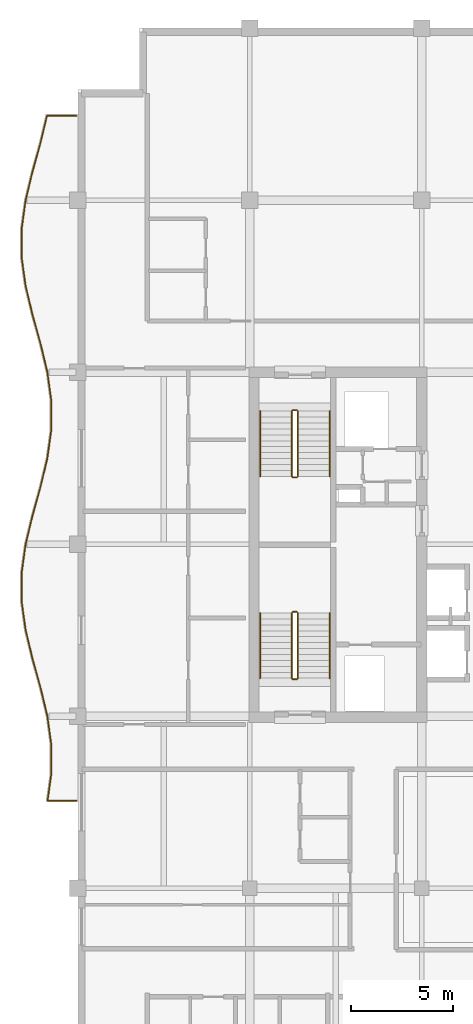
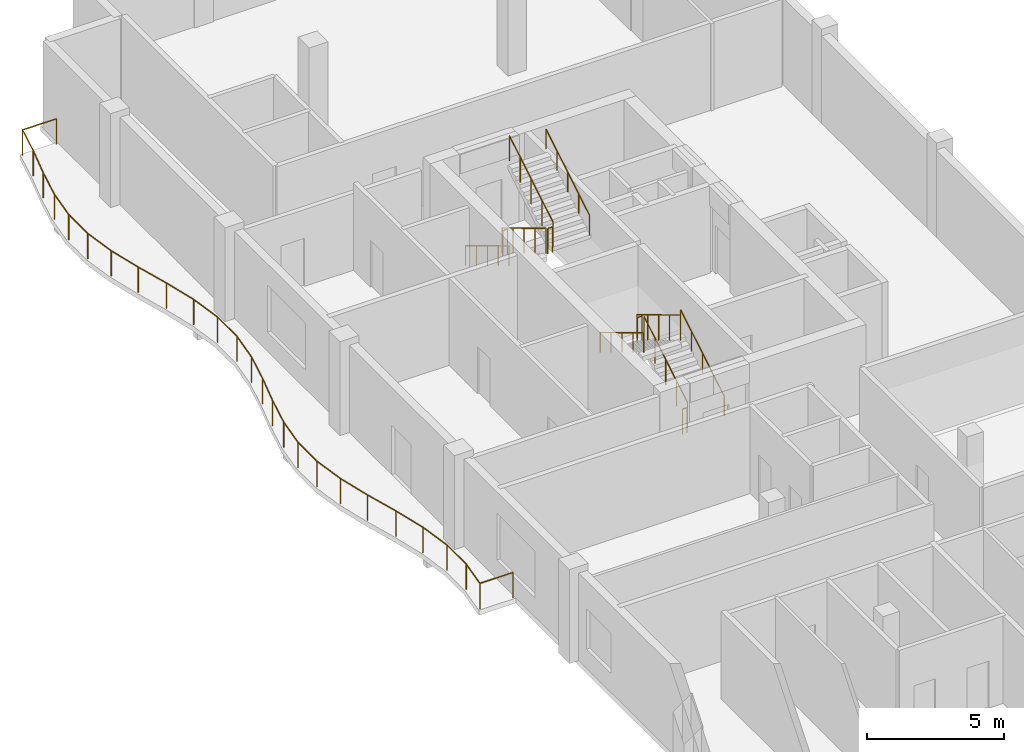
# One storey, part 11 of 11: 13 railings.
"""IFC4 building model written with IfcOpenShell, lengths in metres."""

from ifc_helpers import new_model, si_unit, direction, frame, origin, origin_2d, place, context, subcontext, project, spatial, circle, extrude, material, type_object, element, save


model = new_model("IFC4")

# Units and contexts
model_context = context("Model", 3, precision=1e-05, world=origin(), true_north=direction((0.0, 1.0)))
body_context = subcontext(model_context, "Body", "Model", "MODEL_VIEW")
ifc_project = project(units=[si_unit("LENGTHUNIT", "METRE"), si_unit("AREAUNIT", "SQUARE_METRE"), si_unit("VOLUMEUNIT", "CUBIC_METRE"), si_unit("PLANEANGLEUNIT", "RADIAN"), si_unit("MASSUNIT", "GRAM", prefix="KILO")], contexts=[model_context])

# Site, building, storey
site_placement = place(None, origin())
site = spatial("IfcSite", under=ifc_project, at=site_placement, CompositionType="ELEMENT")
building_placement = place(site_placement, origin())
building = spatial("IfcBuilding", under=site, at=building_placement, Name="Koriwani Terraces Tower", CompositionType="ELEMENT")
storey_placement = place(building_placement, frame((0.0, 0.0, 359.60009765625)))
storey = spatial("IfcBuildingStorey", under=building, at=storey_placement, Name="L89", CompositionType="ELEMENT", Elevation=359.60009765625)

# Railings
ifc_material = material(Name="Steel ASTM A572 Grade 50", Category="steel")
railing_type_1 = type_object("IfcRailingType", Name="GUARD_BALUSTRADE_1150", PredefinedType="BALUSTRADE", material=ifc_material)
railing_1_placement = place(storey_placement, frame((8.320068359375, 37.8798828125, 0.0)))
element("IfcRailing", 1, at=railing_1_placement, inside=storey, type_object=railing_type_1, Name="L89 Balcony Perimeter Safety Balustrade (W)", PredefinedType="BALUSTRADE", context=body_context, shape_type="SweptSolid", body=[
    extrude(circle(Radius=0.02392578125, at=origin_2d()), frame((0.0, 0.0, 1.1259765625), z_axis=(-1.0, 0.0, 0.0), x_axis=(0.0, -1.0, 0.0)), (0.0, 0.0, 1.0), 1.39794921875),
    extrude(circle(Radius=0.02392578125, at=origin_2d()), frame((-1.39794921875, 0.0, 1.1259765625), z_axis=(0.137041987632, 0.99056523946, 0.0), x_axis=(-0.99056523946, 0.137041987632, 0.0)), (0.0, 0.0, 1.0), 1.3271484375),
    extrude(circle(Radius=0.02392578125, at=origin_2d()), frame((-1.216064453125, 1.314697265625, 1.1259765625), z_axis=(0.0, 1.0, 0.0), x_axis=(-1.0, 0.0, 0.0)), (0.0, 0.0, 1.0), 1.410888671875),
    extrude(circle(Radius=0.02392578125, at=origin_2d()), frame((-1.216064453125, 2.7255859375, 1.1259765625), z_axis=(-0.137264429555, 0.990534439774, 0.0), x_axis=(-0.990534439774, -0.137264429555, 0.0)), (0.0, 0.0, 1.0), 1.4228515625),
    extrude(circle(Radius=0.02392578125, at=origin_2d()), frame((-1.411376953125, 4.135009765625, 1.1259765625), z_axis=(-0.233340999769, 0.972394970075, 0.0), x_axis=(-0.972394970075, -0.233340999769, 0.0)), (0.0, 0.0, 1.0), 1.44482421875),
    extrude(circle(Radius=0.02392578125, at=origin_2d()), frame((-1.74853515625, 5.5400390625, 1.1259765625), z_axis=(-0.26716718525, 0.963650193341, 0.0), x_axis=(-0.963650193341, -0.26716718525, 0.0)), (0.0, 0.0, 1.0), 1.452880859375),
    extrude(circle(Radius=0.02392578125, at=origin_2d()), frame((-2.13671875, 6.940185546875, 1.1259765625), z_axis=(-0.233514568862, 0.972353303141, 0.0), x_axis=(-0.972353303141, -0.233514568862, 0.0)), (0.0, 0.0, 1.0), 1.434326171875),
    extrude(circle(Radius=0.02392578125, at=origin_2d()), frame((-2.4716796875, 8.3349609375, 1.1259765625), z_axis=(-0.137378806302, 0.990518583157, 0.0), x_axis=(-0.990518583157, -0.137378806302, 0.0)), (0.0, 0.0, 1.0), 1.404052734375),
    extrude(circle(Radius=0.02392578125, at=origin_2d()), frame((-2.66455078125, 9.7255859375, 1.1259765625), z_axis=(0.0, 1.0, 0.0), x_axis=(-1.0, 0.0, 0.0)), (0.0, 0.0, 1.0), 1.388916015625),
    extrude(circle(Radius=0.02392578125, at=origin_2d()), frame((-2.66455078125, 11.114501953125, 1.1259765625), z_axis=(0.137378806302, 0.990518583157, 0.0), x_axis=(-0.990518583157, 0.137378806302, 0.0)), (0.0, 0.0, 1.0), 1.404052734375),
    extrude(circle(Radius=0.02392578125, at=origin_2d()), frame((-2.4716796875, 12.505126953125, 1.1259765625), z_axis=(0.23347592966, 0.972362581689, 0.0), x_axis=(-0.972362581689, 0.23347592966, 0.0)), (0.0, 0.0, 1.0), 1.4345703125),
    extrude(circle(Radius=0.02392578125, at=origin_2d()), frame((-2.13671875, 13.900146484375, 1.1259765625), z_axis=(0.267210452187, 0.963638196753, 0.0), x_axis=(-0.963638196753, 0.267210452187, 0.0)), (0.0, 0.0, 1.0), 1.45263671875),
    extrude(circle(Radius=0.02392578125, at=origin_2d()), frame((-1.74853515625, 15.300048828125, 1.1259765625), z_axis=(0.233302667738, 0.972404167631, 0.0), x_axis=(-0.972404167631, 0.233302667738, 0.0)), (0.0, 0.0, 1.0), 1.445068359375),
    extrude(circle(Radius=0.02392578125, at=origin_2d()), frame((-1.411376953125, 16.705322265625, 1.1259765625), z_axis=(0.137287762455, 0.990531206111, 0.0), x_axis=(-0.990531206111, 0.137287762455, 0.0)), (0.0, 0.0, 1.0), 1.422607421875),
    extrude(circle(Radius=0.02392578125, at=origin_2d()), frame((-1.216064453125, 18.114501953125, 1.1259765625), z_axis=(0.0, 1.0, 0.0), x_axis=(-1.0, 0.0, 0.0)), (0.0, 0.0, 1.0), 1.4111328125),
    extrude(circle(Radius=0.02392578125, at=origin_2d()), frame((-1.216064453125, 19.525634765625, 1.1259765625), z_axis=(-0.137287762455, 0.990531206111, 0.0), x_axis=(-0.990531206111, -0.137287762455, 0.0)), (0.0, 0.0, 1.0), 1.422607421875),
    extrude(circle(Radius=0.02392578125, at=origin_2d()), frame((-1.411376953125, 20.934814453125, 1.1259765625), z_axis=(-0.233302667738, 0.972404167631, 0.0), x_axis=(-0.972404167631, -0.233302667738, 0.0)), (0.0, 0.0, 1.0), 1.445068359375),
    extrude(circle(Radius=0.02392578125, at=origin_2d()), frame((-1.74853515625, 22.340087890625, 1.1259765625), z_axis=(-0.26716718525, 0.963650193341, 0.0), x_axis=(-0.963650193341, -0.26716718525, 0.0)), (0.0, 0.0, 1.0), 1.452880859375),
    extrude(circle(Radius=0.02392578125, at=origin_2d()), frame((-2.13671875, 23.740234375, 1.1259765625), z_axis=(-0.233514568862, 0.972353303141, 0.0), x_axis=(-0.972353303141, -0.233514568862, 0.0)), (0.0, 0.0, 1.0), 1.434326171875),
    extrude(circle(Radius=0.02392578125, at=origin_2d()), frame((-2.4716796875, 25.135009765625, 1.1259765625), z_axis=(-0.137378806302, 0.990518583157, 0.0), x_axis=(-0.990518583157, -0.137378806302, 0.0)), (0.0, 0.0, 1.0), 1.404052734375),
    extrude(circle(Radius=0.02392578125, at=origin_2d()), frame((-2.66455078125, 26.525634765625, 1.1259765625), z_axis=(0.0, 1.0, 0.0), x_axis=(-1.0, 0.0, 0.0)), (0.0, 0.0, 1.0), 1.388916015625),
    extrude(circle(Radius=0.02392578125, at=origin_2d()), frame((-2.66455078125, 27.91455078125, 1.1259765625), z_axis=(0.137378806302, 0.990518583157, 0.0), x_axis=(-0.990518583157, 0.137378806302, 0.0)), (0.0, 0.0, 1.0), 1.404052734375),
    extrude(circle(Radius=0.02392578125, at=origin_2d()), frame((-2.4716796875, 29.30517578125, 1.1259765625), z_axis=(0.23347592966, 0.972362581689, 0.0), x_axis=(-0.972362581689, 0.23347592966, 0.0)), (0.0, 0.0, 1.0), 1.4345703125),
    extrude(circle(Radius=0.02392578125, at=origin_2d()), frame((-2.13671875, 30.7001953125, 1.1259765625), z_axis=(0.267210452187, 0.963638196753, 0.0), x_axis=(-0.963638196753, 0.267210452187, 0.0)), (0.0, 0.0, 1.0), 1.45263671875),
    extrude(circle(Radius=0.02392578125, at=origin_2d()), frame((-1.74853515625, 32.10009765625, 1.1259765625), z_axis=(0.233480150638, 0.972361568172, 0.0), x_axis=(-0.972361568172, 0.233480150638, 0.0)), (0.0, 0.0, 1.0), 1.378173828125),
    extrude(circle(Radius=0.02392578125, at=origin_2d()), frame((-1.4267578125, 33.440185546875, 1.1259765625), z_axis=(1.0, 0.0, 0.0), x_axis=(0.0, 1.0, 0.0)), (0.0, 0.0, 1.0), 1.4267578125),
    extrude(circle(Radius=0.02099609375, at=origin_2d()), origin(), (0.0, 0.0, 1.0), 1.101806640625),
    extrude(circle(Radius=0.02099609375, at=origin_2d()), frame((-1.39794921875, 0.0, 0.0)), (0.0, 0.0, 1.0), 1.101806640625),
    extrude(circle(Radius=0.02099609375, at=origin_2d()), frame((-1.216064453125, 1.314697265625, 0.0)), (0.0, 0.0, 1.0), 1.101806640625),
    extrude(circle(Radius=0.02099609375, at=origin_2d()), frame((-1.216064453125, 2.7255859375, 0.0)), (0.0, 0.0, 1.0), 1.101806640625),
    extrude(circle(Radius=0.02099609375, at=origin_2d()), frame((-1.411376953125, 4.135009765625, 0.0)), (0.0, 0.0, 1.0), 1.101806640625),
    extrude(circle(Radius=0.02099609375, at=origin_2d()), frame((-1.74853515625, 5.5400390625, 0.0)), (0.0, 0.0, 1.0), 1.101806640625),
    extrude(circle(Radius=0.02099609375, at=origin_2d()), frame((-2.13671875, 6.940185546875, 0.0)), (0.0, 0.0, 1.0), 1.101806640625),
    extrude(circle(Radius=0.02099609375, at=origin_2d()), frame((-2.4716796875, 8.3349609375, 0.0)), (0.0, 0.0, 1.0), 1.101806640625),
    extrude(circle(Radius=0.02099609375, at=origin_2d()), frame((-2.66455078125, 9.7255859375, 0.0)), (0.0, 0.0, 1.0), 1.101806640625),
    extrude(circle(Radius=0.02099609375, at=origin_2d()), frame((-2.66455078125, 11.114501953125, 0.0)), (0.0, 0.0, 1.0), 1.101806640625),
    extrude(circle(Radius=0.02099609375, at=origin_2d()), frame((-2.4716796875, 12.505126953125, 0.0)), (0.0, 0.0, 1.0), 1.101806640625),
    extrude(circle(Radius=0.02099609375, at=origin_2d()), frame((-2.13671875, 13.900146484375, 0.0)), (0.0, 0.0, 1.0), 1.101806640625),
    extrude(circle(Radius=0.02099609375, at=origin_2d()), frame((-1.74853515625, 15.300048828125, 0.0)), (0.0, 0.0, 1.0), 1.101806640625),
    extrude(circle(Radius=0.02099609375, at=origin_2d()), frame((-1.411376953125, 16.705322265625, 0.0)), (0.0, 0.0, 1.0), 1.101806640625),
    extrude(circle(Radius=0.02099609375, at=origin_2d()), frame((-1.216064453125, 18.114501953125, 0.0)), (0.0, 0.0, 1.0), 1.101806640625),
    extrude(circle(Radius=0.02099609375, at=origin_2d()), frame((-1.216064453125, 19.525634765625, 0.0)), (0.0, 0.0, 1.0), 1.101806640625),
    extrude(circle(Radius=0.02099609375, at=origin_2d()), frame((-1.411376953125, 20.934814453125, 0.0)), (0.0, 0.0, 1.0), 1.101806640625),
    extrude(circle(Radius=0.02099609375, at=origin_2d()), frame((-1.74853515625, 22.340087890625, 0.0)), (0.0, 0.0, 1.0), 1.101806640625),
    extrude(circle(Radius=0.02099609375, at=origin_2d()), frame((-2.13671875, 23.740234375, 0.0)), (0.0, 0.0, 1.0), 1.101806640625),
    extrude(circle(Radius=0.02099609375, at=origin_2d()), frame((-2.4716796875, 25.135009765625, 0.0)), (0.0, 0.0, 1.0), 1.101806640625),
    extrude(circle(Radius=0.02099609375, at=origin_2d()), frame((-2.66455078125, 26.525634765625, 0.0)), (0.0, 0.0, 1.0), 1.101806640625),
    extrude(circle(Radius=0.02099609375, at=origin_2d()), frame((-2.66455078125, 27.91455078125, 0.0)), (0.0, 0.0, 1.0), 1.101806640625),
    extrude(circle(Radius=0.02099609375, at=origin_2d()), frame((-2.4716796875, 29.30517578125, 0.0)), (0.0, 0.0, 1.0), 1.101806640625),
    extrude(circle(Radius=0.02099609375, at=origin_2d()), frame((-2.13671875, 30.7001953125, 0.0)), (0.0, 0.0, 1.0), 1.101806640625),
    extrude(circle(Radius=0.02099609375, at=origin_2d()), frame((-1.74853515625, 32.10009765625, 0.0)), (0.0, 0.0, 1.0), 1.101806640625),
    extrude(circle(Radius=0.02099609375, at=origin_2d()), frame((-1.4267578125, 33.440185546875, 0.0)), (0.0, 0.0, 1.0), 1.101806640625),
    extrude(circle(Radius=0.02099609375, at=origin_2d()), frame((0.0, 33.440185546875, 0.0)), (0.0, 0.0, 1.0), 1.101806640625),
])
railing_type_2 = type_object("IfcRailingType", Name="GUARD_STAIR_WELL_1120", PredefinedType="GUARDRAIL", material=ifc_material)
railing_2_placement = place(storey_placement, frame((19.14990234375, 43.85009765625, 0.1748046875)))
element("IfcRailing", 2, at=railing_2_placement, inside=storey, type_object=railing_type_2, Name="L89 ST-W1 stair guard 1", PredefinedType="GUARDRAIL", context=body_context, shape_type="SweptSolid", body=[
    extrude(circle(Radius=0.02392578125, at=origin_2d()), frame((0.0, 0.0, 1.1259765625), z_axis=(0.0, 0.856177665481, 0.516681531633), x_axis=(-1.0, 0.0, 0.0)), (0.0, 0.0, 1.0), 3.725830078125),
    extrude(circle(Radius=0.02099609375, at=origin_2d()), origin(), (0.0, 0.0, 1.0), 1.101806640625),
    extrude(circle(Radius=0.02099609375, at=origin_2d()), frame((0.0, 0.79736328125, 0.481201171875)), (0.0, 0.0, 1.0), 1.101806640625),
    extrude(circle(Radius=0.02099609375, at=origin_2d()), frame((0.0, 1.594970703125, 0.96240234375)), (0.0, 0.0, 1.0), 1.101806640625),
    extrude(circle(Radius=0.02099609375, at=origin_2d()), frame((0.0, 2.392578125, 1.44384765625)), (0.0, 0.0, 1.0), 1.101806640625),
    extrude(circle(Radius=0.02099609375, at=origin_2d()), frame((0.0, 3.18994140625, 1.925048828125)), (0.0, 0.0, 1.0), 1.101806640625),
])
railing_3_placement = place(storey_placement, frame((19.10009765625, 47.090087890625, 2.099853515625)))
element("IfcRailing", 3, at=railing_3_placement, inside=storey, type_object=railing_type_2, Name="L89 ST-W1 stair guard 2", PredefinedType="GUARDRAIL", context=body_context, shape_type="SweptSolid", body=[
    extrude(circle(Radius=0.02392578125, at=origin_2d()), frame((0.0, 0.0, 1.1259765625), z_axis=(-1.0, 0.0, 0.0), x_axis=(0.0, -1.0, 0.0)), (0.0, 0.0, 1.0), 0.2001953125),
    extrude(circle(Radius=0.02099609375, at=origin_2d()), origin(), (0.0, 0.0, 1.0), 1.101806640625),
    extrude(circle(Radius=0.02099609375, at=origin_2d()), frame((-0.2001953125, 0.0, 0.0)), (0.0, 0.0, 1.0), 1.101806640625),
])
railing_4_placement = place(storey_placement, frame((18.85009765625, 47.0400390625, 2.27490234375)))
element("IfcRailing", 4, at=railing_4_placement, inside=storey, type_object=railing_type_2, Name="L89 ST-W1 stair guard 3", PredefinedType="GUARDRAIL", context=body_context, shape_type="SweptSolid", body=[
    extrude(circle(Radius=0.02392578125, at=origin_2d()), frame((0.0, 0.0, 1.1259765625), z_axis=(0.0, -0.856177665481, 0.516681531633), x_axis=(1.0, 0.0, 0.0)), (0.0, 0.0, 1.0), 3.725830078125),
    extrude(circle(Radius=0.02099609375, at=origin_2d()), origin(), (0.0, 0.0, 1.0), 1.101806640625),
    extrude(circle(Radius=0.02099609375, at=origin_2d()), frame((0.0, -0.79736328125, 0.481201171875)), (0.0, 0.0, 1.0), 1.101806640625),
    extrude(circle(Radius=0.02099609375, at=origin_2d()), frame((0.0, -1.594970703125, 0.96240234375)), (0.0, 0.0, 1.0), 1.101806640625),
    extrude(circle(Radius=0.02099609375, at=origin_2d()), frame((0.0, -2.392578125, 1.44384765625)), (0.0, 0.0, 1.0), 1.101806640625),
    extrude(circle(Radius=0.02099609375, at=origin_2d()), frame((0.0, -3.18994140625, 1.925048828125)), (0.0, 0.0, 1.0), 1.101806640625),
])
railing_5_placement = place(storey_placement, frame((19.10009765625, 43.800048828125, 0.0)))
element("IfcRailing", 5, at=railing_5_placement, inside=storey, type_object=railing_type_2, Name="L89 ST-W1 stair guard 4", PredefinedType="GUARDRAIL", context=body_context, shape_type="SweptSolid", body=[
    extrude(circle(Radius=0.02392578125, at=origin_2d()), frame((0.0, 0.0, 1.1259765625), z_axis=(-1.0, 0.0, 0.0), x_axis=(0.0, -1.0, 0.0)), (0.0, 0.0, 1.0), 0.2001953125),
    extrude(circle(Radius=0.02099609375, at=origin_2d()), origin(), (0.0, 0.0, 1.0), 1.101806640625),
    extrude(circle(Radius=0.02099609375, at=origin_2d()), frame((-0.2001953125, 0.0, 0.0)), (0.0, 0.0, 1.0), 1.101806640625),
])
railing_6_placement = place(storey_placement, frame((18.85009765625, 56.89990234375, 0.1748046875)))
element("IfcRailing", 6, at=railing_6_placement, inside=storey, type_object=railing_type_2, Name="L89 ST-W2 stair guard 1", PredefinedType="GUARDRAIL", context=body_context, shape_type="SweptSolid", body=[
    extrude(circle(Radius=0.02392578125, at=origin_2d()), frame((0.0, 0.0, 1.1259765625), z_axis=(0.0, -0.856177665481, 0.516681531633), x_axis=(1.0, 0.0, 0.0)), (0.0, 0.0, 1.0), 3.725830078125),
    extrude(circle(Radius=0.02099609375, at=origin_2d()), origin(), (0.0, 0.0, 1.0), 1.101806640625),
    extrude(circle(Radius=0.02099609375, at=origin_2d()), frame((0.0, -0.79736328125, 0.481201171875)), (0.0, 0.0, 1.0), 1.101806640625),
    extrude(circle(Radius=0.02099609375, at=origin_2d()), frame((0.0, -1.594970703125, 0.96240234375)), (0.0, 0.0, 1.0), 1.101806640625),
    extrude(circle(Radius=0.02099609375, at=origin_2d()), frame((0.0, -2.392578125, 1.44384765625)), (0.0, 0.0, 1.0), 1.101806640625),
    extrude(circle(Radius=0.02099609375, at=origin_2d()), frame((0.0, -3.18994140625, 1.925048828125)), (0.0, 0.0, 1.0), 1.101806640625),
])
railing_7_placement = place(storey_placement, frame((18.89990234375, 53.659912109375, 2.099853515625)))
element("IfcRailing", 7, at=railing_7_placement, inside=storey, type_object=railing_type_2, Name="L89 ST-W2 stair guard 2", PredefinedType="GUARDRAIL", context=body_context, shape_type="SweptSolid", body=[
    extrude(circle(Radius=0.02392578125, at=origin_2d()), frame((0.0, 0.0, 1.1259765625), z_axis=(1.0, 0.0, 0.0), x_axis=(0.0, 1.0, 0.0)), (0.0, 0.0, 1.0), 0.2001953125),
    extrude(circle(Radius=0.02099609375, at=origin_2d()), origin(), (0.0, 0.0, 1.0), 1.101806640625),
    extrude(circle(Radius=0.02099609375, at=origin_2d()), frame((0.2001953125, 0.0, 0.0)), (0.0, 0.0, 1.0), 1.101806640625),
])
railing_8_placement = place(storey_placement, frame((19.14990234375, 53.7099609375, 2.27490234375)))
element("IfcRailing", 8, at=railing_8_placement, inside=storey, type_object=railing_type_2, Name="L89 ST-W2 stair guard 3", PredefinedType="GUARDRAIL", context=body_context, shape_type="SweptSolid", body=[
    extrude(circle(Radius=0.02392578125, at=origin_2d()), frame((0.0, 0.0, 1.1259765625), z_axis=(0.0, 0.856177665481, 0.516681531633), x_axis=(-1.0, 0.0, 0.0)), (0.0, 0.0, 1.0), 3.725830078125),
    extrude(circle(Radius=0.02099609375, at=origin_2d()), origin(), (0.0, 0.0, 1.0), 1.101806640625),
    extrude(circle(Radius=0.02099609375, at=origin_2d()), frame((0.0, 0.79736328125, 0.481201171875)), (0.0, 0.0, 1.0), 1.101806640625),
    extrude(circle(Radius=0.02099609375, at=origin_2d()), frame((0.0, 1.594970703125, 0.96240234375)), (0.0, 0.0, 1.0), 1.101806640625),
    extrude(circle(Radius=0.02099609375, at=origin_2d()), frame((0.0, 2.392578125, 1.44384765625)), (0.0, 0.0, 1.0), 1.101806640625),
    extrude(circle(Radius=0.02099609375, at=origin_2d()), frame((0.0, 3.18994140625, 1.925048828125)), (0.0, 0.0, 1.0), 1.101806640625),
])
railing_9_placement = place(storey_placement, frame((18.89990234375, 56.949951171875, 0.0)))
element("IfcRailing", 9, at=railing_9_placement, inside=storey, type_object=railing_type_2, Name="L89 ST-W2 stair guard 4", PredefinedType="GUARDRAIL", context=body_context, shape_type="SweptSolid", body=[
    extrude(circle(Radius=0.02392578125, at=origin_2d()), frame((0.0, 0.0, 1.1259765625), z_axis=(1.0, 0.0, 0.0), x_axis=(0.0, 1.0, 0.0)), (0.0, 0.0, 1.0), 0.2001953125),
    extrude(circle(Radius=0.02099609375, at=origin_2d()), origin(), (0.0, 0.0, 1.0), 1.101806640625),
    extrude(circle(Radius=0.02099609375, at=origin_2d()), frame((0.2001953125, 0.0, 0.0)), (0.0, 0.0, 1.0), 1.101806640625),
])
railing_type_3 = type_object("IfcRailingType", Name="HANDRAIL_STAIR_920", PredefinedType="HANDRAIL", material=ifc_material)
railing_10_placement = place(storey_placement, frame((20.699951171875, 43.85009765625, 0.1748046875)))
element("IfcRailing", 10, at=railing_10_placement, inside=storey, type_object=railing_type_3, Name="L89 ST-W1 stair handrail 1", PredefinedType="HANDRAIL", context=body_context, shape_type="SweptSolid", body=[
    extrude(circle(Radius=0.02392578125, at=origin_2d()), frame((0.0, 0.0, 0.8759765625), z_axis=(0.0, 0.856177665481, 0.516681531633), x_axis=(-1.0, 0.0, 0.0)), (0.0, 0.0, 1.0), 3.725830078125),
    extrude(circle(Radius=0.02099609375, at=origin_2d()), origin(), (0.0, 0.0, 1.0), 0.851806640625),
    extrude(circle(Radius=0.02099609375, at=origin_2d()), frame((0.0, 0.79736328125, 0.481201171875)), (0.0, 0.0, 1.0), 0.851806640625),
    extrude(circle(Radius=0.02099609375, at=origin_2d()), frame((0.0, 1.594970703125, 0.96240234375)), (0.0, 0.0, 1.0), 0.851806640625),
    extrude(circle(Radius=0.02099609375, at=origin_2d()), frame((0.0, 2.392578125, 1.44384765625)), (0.0, 0.0, 1.0), 0.851806640625),
    extrude(circle(Radius=0.02099609375, at=origin_2d()), frame((0.0, 3.18994140625, 1.925048828125)), (0.0, 0.0, 1.0), 0.851806640625),
])
for number, where, name in (
    (11, (17.300048828125, 47.0400390625, 2.27490234375), "L89 ST-W1 stair handrail 2"),
    (12, (17.300048828125, 56.89990234375, 0.1748046875), "L89 ST-W2 stair handrail 1"),
):
    element("IfcRailing", number, at=place(storey_placement, frame(where)), inside=storey, type_object=railing_type_3, Name=name, PredefinedType="HANDRAIL", context=body_context, shape_type="SweptSolid", body=[
        extrude(circle(Radius=0.02392578125, at=origin_2d()), frame((0.0, 0.0, 0.8759765625), z_axis=(0.0, -0.856177665481, 0.516681531633), x_axis=(1.0, 0.0, 0.0)), (0.0, 0.0, 1.0), 3.725830078125),
        extrude(circle(Radius=0.02099609375, at=origin_2d()), origin(), (0.0, 0.0, 1.0), 0.851806640625),
        extrude(circle(Radius=0.02099609375, at=origin_2d()), frame((0.0, -0.79736328125, 0.481201171875)), (0.0, 0.0, 1.0), 0.851806640625),
        extrude(circle(Radius=0.02099609375, at=origin_2d()), frame((0.0, -1.594970703125, 0.96240234375)), (0.0, 0.0, 1.0), 0.851806640625),
        extrude(circle(Radius=0.02099609375, at=origin_2d()), frame((0.0, -2.392578125, 1.44384765625)), (0.0, 0.0, 1.0), 0.851806640625),
        extrude(circle(Radius=0.02099609375, at=origin_2d()), frame((0.0, -3.18994140625, 1.925048828125)), (0.0, 0.0, 1.0), 0.851806640625),
    ])
railing_11_placement = place(storey_placement, frame((20.699951171875, 53.7099609375, 2.27490234375)))
element("IfcRailing", 13, at=railing_11_placement, inside=storey, type_object=railing_type_3, Name="L89 ST-W2 stair handrail 2", PredefinedType="HANDRAIL", context=body_context, shape_type="SweptSolid", body=[
    extrude(circle(Radius=0.02392578125, at=origin_2d()), frame((0.0, 0.0, 0.8759765625), z_axis=(0.0, 0.856177665481, 0.516681531633), x_axis=(-1.0, 0.0, 0.0)), (0.0, 0.0, 1.0), 3.725830078125),
    extrude(circle(Radius=0.02099609375, at=origin_2d()), origin(), (0.0, 0.0, 1.0), 0.851806640625),
    extrude(circle(Radius=0.02099609375, at=origin_2d()), frame((0.0, 0.79736328125, 0.481201171875)), (0.0, 0.0, 1.0), 0.851806640625),
    extrude(circle(Radius=0.02099609375, at=origin_2d()), frame((0.0, 1.594970703125, 0.96240234375)), (0.0, 0.0, 1.0), 0.851806640625),
    extrude(circle(Radius=0.02099609375, at=origin_2d()), frame((0.0, 2.392578125, 1.44384765625)), (0.0, 0.0, 1.0), 0.851806640625),
    extrude(circle(Radius=0.02099609375, at=origin_2d()), frame((0.0, 3.18994140625, 1.925048828125)), (0.0, 0.0, 1.0), 0.851806640625),
])

save(model, "model.ifc")
